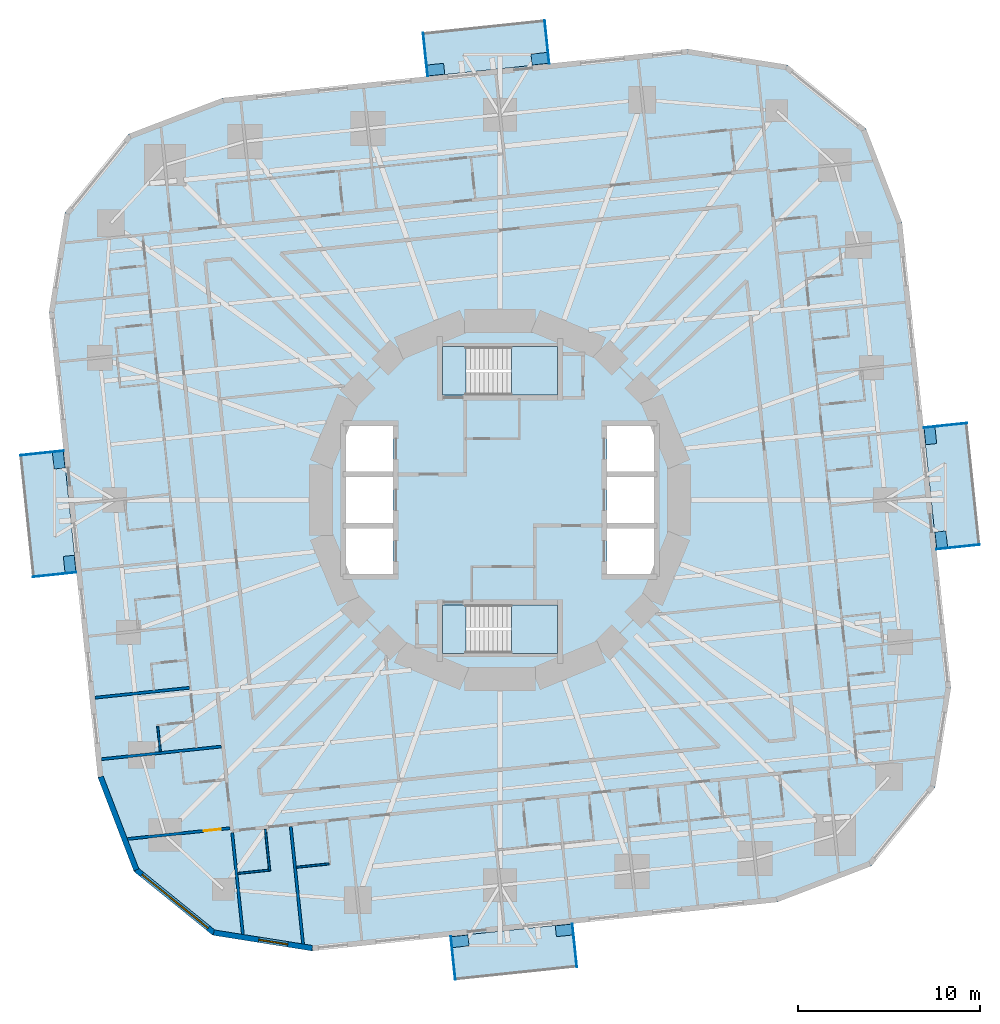
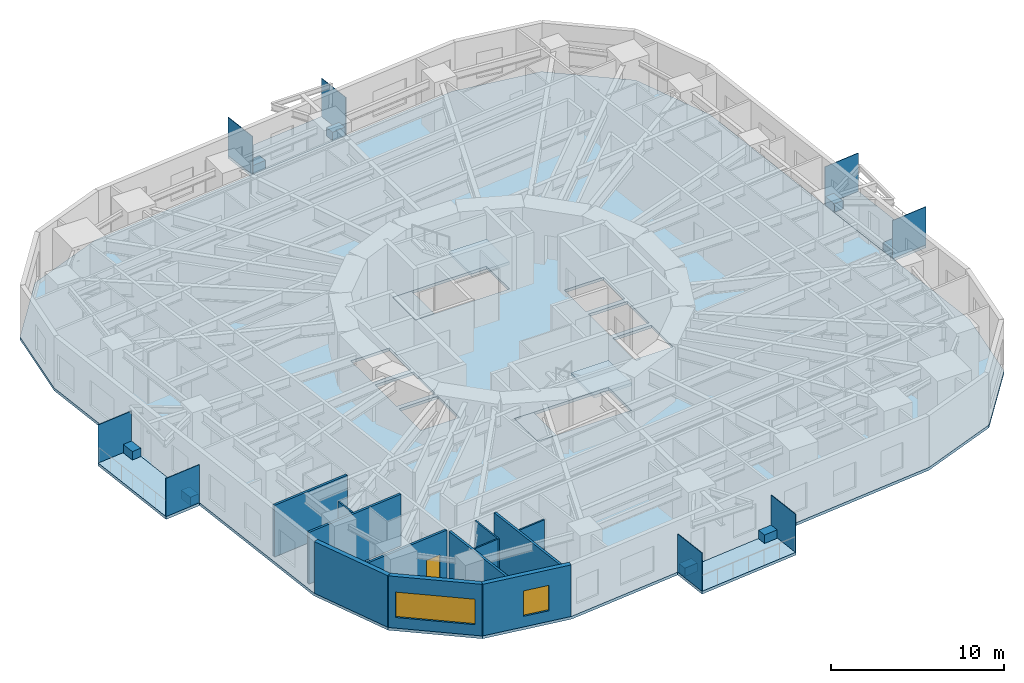
# One storey, part 4 of 14: 16 plates, 12 walls, 9 slabs, 2 windows, 1 door, 3 openings, 2 elements without a shape of their own.
"""IFC4 building model written with IfcOpenShell, lengths in metres."""

import ifcopenshell
import ifcopenshell.guid

model = None  # the IFC model being written
_history = None  # IfcOwnerHistory: only IFC2X3 demands one
_inside = {}  # id of a spatial element -> (the spatial element, [elements in it])
_under = {}  # id of a project, library or spatial element -> (it, [spatial elements below it])
_declared = {}  # id of a project -> (the project, [libraries it declares])
_typed = {}  # id of a type object -> (the type object, [elements of that type])
_made_of = {}  # id of a material, layer set ... -> (it, [elements and type objects made of it])


def new_model(schema):
    """Start an empty IFC model of exactly this schema.

    Asked for "IFC4X3", IfcOpenShell would pick the latest addendum, in which some entities
    have other attributes; the version numbers below select the first issue.
    IFC2X3 requires an IfcOwnerHistory on every rooted entity: one is made here for all.
    """
    global model, _history
    if schema == "IFC4X3":
        model = ifcopenshell.file(schema_version=(4, 3, 0, 0))
    else:
        model = ifcopenshell.file(schema=schema)
    _inside.clear()
    _under.clear()
    _declared.clear()
    _typed.clear()
    _made_of.clear()
    _history = None
    if model.schema == "IFC2X3":
        org = make("IfcOrganization", Name="unknown")
        user = make(
            "IfcPersonAndOrganization",
            ThePerson=make("IfcPerson", FamilyName="unknown"),
            TheOrganization=org,
        )
        app = make(
            "IfcApplication",
            ApplicationDeveloper=org,
            Version="unknown",
            ApplicationFullName="unknown",
            ApplicationIdentifier="unknown",
        )
        _history = make(
            "IfcOwnerHistory",
            OwningUser=user,
            OwningApplication=app,
            ChangeAction="ADDED",
            CreationDate=0,
        )
    return model


def make(cls, **values):
    """One entity of the class cls with the attributes given. An attribute that is None is left unset."""
    return model.create_entity(
        cls, **{name: value for name, value in values.items() if value is not None}
    )


def rooted(cls, **values):
    """An entity with a GlobalId (a new one), such as an element, a storey or a relation."""
    return make(cls, GlobalId=ifcopenshell.guid.new(), OwnerHistory=_history, **values)


def si_unit(unit_type, name, prefix=None):
    """IfcSIUnit, for example si_unit("LENGTHUNIT", "METRE", prefix="MILLI")."""
    return make("IfcSIUnit", UnitType=unit_type, Prefix=prefix, Name=name)


def assignment(units):
    """IfcUnitAssignment: the units of a project."""
    return None if units is None else make("IfcUnitAssignment", Units=units)


def point(xyz):
    """IfcCartesianPoint."""
    return None if xyz is None else make("IfcCartesianPoint", Coordinates=xyz)


def direction(xyz):
    """IfcDirection."""
    return None if xyz is None else make("IfcDirection", DirectionRatios=xyz)


def frame(location, z_axis=None, x_axis=None):
    """IfcAxis2Placement3D, a coordinate frame: its origin and axes. An axis left out is left unset."""
    return make(
        "IfcAxis2Placement3D",
        Location=point(location),
        Axis=direction(z_axis),
        RefDirection=direction(x_axis),
    )


def frame_2d(location, x_axis=None):
    """IfcAxis2Placement2D, a coordinate frame in the plane: its origin and x axis."""
    return make(
        "IfcAxis2Placement2D", Location=point(location), RefDirection=direction(x_axis)
    )


def origin():
    """The frame at (0, 0, 0) with its axes left unset."""
    return frame((0.0, 0.0, 0.0))


def origin_2d():
    """The frame at (0, 0) in the plane with its x axis left unset."""
    return frame_2d((0.0, 0.0))


def place(relative_to, where):
    """IfcLocalPlacement: puts the frame where relative to a parent placement (None: the world)."""
    return make(
        "IfcLocalPlacement", PlacementRelTo=relative_to, RelativePlacement=where
    )


def context(
    kind, dimensions, precision=None, world=None, true_north=None, identifier=None
):
    """IfcGeometricRepresentationContext, for example the 3D "Model" context."""
    return make(
        "IfcGeometricRepresentationContext",
        ContextIdentifier=identifier,
        ContextType=kind,
        CoordinateSpaceDimension=dimensions,
        Precision=precision,
        WorldCoordinateSystem=world,
        TrueNorth=true_north,
    )


def subcontext(parent, identifier, kind, view, scale=None):
    """IfcGeometricRepresentationSubContext, for example "Body" below "Model"."""
    return make(
        "IfcGeometricRepresentationSubContext",
        ContextIdentifier=identifier,
        ContextType=kind,
        ParentContext=parent,
        TargetScale=scale,
        TargetView=view,
    )


def project(units=None, contexts=None):
    """IfcProject with its units and contexts."""
    return rooted(
        "IfcProject",
        Name="project",
        RepresentationContexts=contexts,
        UnitsInContext=assignment(units),
    )


def spatial(cls, under=None, at=None, **own):
    """A site, building, storey or space (cls), placed at a placement, below another one or the project."""
    s = rooted(cls, ObjectPlacement=at, **own)
    if under is not None:
        _under.setdefault(under.id(), (under, []))[1].append(s)
    return s


def polyline(points):
    """IfcPolyline through the points."""
    return make("IfcPolyline", Points=[point(p) for p in points])


def profile(cls, at=None, kind="AREA", **sizes):
    """A parametric profile (cls). Its sizes go by their IFC names, for example OverallWidth=200.0."""
    return make(cls, ProfileType=kind, Position=at, **sizes)


def rectangle(**sizes):
    """IfcRectangleProfileDef."""
    return profile("IfcRectangleProfileDef", **sizes)


def outline(outer, holes=None, kind="AREA"):
    """IfcArbitraryClosedProfileDef: a profile drawn as a closed curve; with holes, ...WithVoids."""
    if holes is None:
        return make("IfcArbitraryClosedProfileDef", ProfileType=kind, OuterCurve=outer)
    return make(
        "IfcArbitraryProfileDefWithVoids",
        ProfileType=kind,
        OuterCurve=outer,
        InnerCurves=holes,
    )


def extrude(swept, where, along, depth):
    """IfcExtrudedAreaSolid: the profile swept, set in the frame where, extruded along a direction by depth."""
    return make(
        "IfcExtrudedAreaSolid",
        SweptArea=swept,
        Position=where,
        ExtrudedDirection=direction(along),
        Depth=depth,
    )


def shape(context_of_items, identifier, shape_type, items):
    """IfcShapeRepresentation: the items that make up one representation, for example the "Body"."""
    return make(
        "IfcShapeRepresentation",
        ContextOfItems=context_of_items,
        RepresentationIdentifier=identifier,
        RepresentationType=shape_type,
        Items=items,
    )


def material(Name=None, Category=None):
    """IfcMaterial."""
    return make("IfcMaterial", Name=Name, Category=Category)


def layer(
    of_material, thickness, ventilated=None, Name=None, Category=None, Priority=None
):
    """IfcMaterialLayer: one layer of a wall or slab, of a material (None: an air gap)."""
    return make(
        "IfcMaterialLayer",
        Material=of_material,
        LayerThickness=thickness,
        IsVentilated=ventilated,
        Name=Name,
        Category=Category,
        Priority=Priority,
    )


def layer_set(layers, Name=None):
    """IfcMaterialLayerSet."""
    return make("IfcMaterialLayerSet", MaterialLayers=layers, LayerSetName=Name)


def made_of(thing, what):
    """Note that an element or type object is made of a material, layer set ...; save() writes the relation."""
    if what is not None:
        _made_of.setdefault(what.id(), (what, []))[1].append(thing)
    return thing


def type_object(cls, material=None, **own):
    """A type object (cls), such as IfcWallType, which elements share."""
    return made_of(rooted(cls, **own), material)


def element(
    cls,
    number,
    at=None,
    inside=None,
    cuts=None,
    type_object=None,
    material=None,
    context=None,
    identifier="Body",
    shape_type=None,
    held_by="IfcProductDefinitionShape",
    body=None,
    shapes=None,
    **own,
):
    """One element of the class cls, such as IfcWall. Its Tag is "e" and its number.

    at: its placement. inside: the storey or other place that contains it. cuts: it is an
    opening in that element (IfcRelVoidsElement). A single representation is given by context,
    identifier, shape_type and body (its items); several are given by shapes. held_by: the class
    of the entity that holds the representations. save() writes the other relations.
    """
    e = rooted(cls, Tag="e%d" % number, ObjectPlacement=at, **own)
    if body is not None:
        shapes = [shape(context, identifier, shape_type, body)]
    if shapes is not None:
        e.Representation = make(held_by, Representations=shapes)
    if inside is not None:
        _inside.setdefault(inside.id(), (inside, []))[1].append(e)
    if cuts is not None:
        rooted(
            "IfcRelVoidsElement", RelatingBuildingElement=cuts, RelatedOpeningElement=e
        )
    if type_object is not None:
        _typed.setdefault(type_object.id(), (type_object, []))[1].append(e)
    return made_of(e, material)


def fill(opening, filler):
    """IfcRelFillsElement: the door or window that sits in an opening."""
    return rooted(
        "IfcRelFillsElement",
        RelatingOpeningElement=opening,
        RelatedBuildingElement=filler,
    )


def aggregate(whole, parts):
    """IfcRelAggregates: a whole, such as a stair, and the parts it consists of."""
    return rooted("IfcRelAggregates", RelatingObject=whole, RelatedObjects=parts)


def save(model, path):
    """Write the relations noted so far, then the file.

    IfcRelAggregates (storeys below a building ...), IfcRelContainedInSpatialStructure (elements
    in a storey), IfcRelDefinesByType, IfcRelAssociatesMaterial and IfcRelDeclares: one each for
    every whole, place, type object, material and project.
    """
    for whole, parts in _under.values():
        aggregate(whole, parts)
    for where, things in _inside.values():
        rooted(
            "IfcRelContainedInSpatialStructure",
            RelatedElements=things,
            RelatingStructure=where,
        )
    for kind, things in _typed.values():
        rooted("IfcRelDefinesByType", RelatedObjects=things, RelatingType=kind)
    for what, things in _made_of.values():
        rooted("IfcRelAssociatesMaterial", RelatedObjects=things, RelatingMaterial=what)
    for by, libraries in _declared.values():
        rooted("IfcRelDeclares", RelatingContext=by, RelatedDefinitions=libraries)
    model.write(path)


model = new_model("IFC4")

# Units and contexts
model_context = context("Model", 3, precision=1e-05, world=origin(), true_north=direction((0.0, 1.0)))
body_context = subcontext(model_context, "Body", "Model", "MODEL_VIEW")
ifc_project = project(units=[si_unit("LENGTHUNIT", "METRE"), si_unit("AREAUNIT", "SQUARE_METRE"), si_unit("VOLUMEUNIT", "CUBIC_METRE"), si_unit("PLANEANGLEUNIT", "RADIAN"), si_unit("MASSUNIT", "GRAM", prefix="KILO")], contexts=[model_context])

# Site, building, storey
site_placement = place(None, origin())
site = spatial("IfcSite", under=ifc_project, at=site_placement, CompositionType="ELEMENT")
building_placement = place(site_placement, origin())
building = spatial("IfcBuilding", under=site, at=building_placement, Name="Nakasero Lantern House", CompositionType="ELEMENT")
storey_placement = place(building_placement, frame((0.0, 0.0, 87.449951171875)))
storey = spatial("IfcBuildingStorey", under=building, at=storey_placement, Name="L21", CompositionType="ELEMENT", Elevation=87.449951171875)

# Plates
ifc_material_1 = material(Name="Aluminium 6063-T6", Category="aluminium")
ifc_layer_1 = layer(ifc_material_1, 0.60009765625)
ifc_layer_set_1 = layer_set([ifc_layer_1], Name="Balcony planter 600x900")
plate_type_1 = type_object("IfcPlateType", Name="Balcony planter 600x900", PredefinedType="USERDEFINED", material=ifc_layer_set_1)
for number, where, z_axis, x_axis, name in (
    (1, (24.1796875, -2.174560546875, 0.0), (0.0, 0.0, 1.0), (0.994521895368, 0.104528463268, 0.0), "Balcony PLANTER L21 BAL0A"),
    (2, (23.58251953125, 3.507568359375, 0.0), (0.0, 0.0, 1.0), (0.994521895368, 0.104528463268, 0.0), "Balcony PLANTER L21 BAL0B"),
    (3, (2.174560546875, 24.1796875, 0.0), (0.0, 0.0, 1.0), (-0.104528463268, 0.994521895368, 0.0), "Balcony PLANTER L21 BAL1A"),
    (4, (-3.507568359375, 23.58251953125, 0.0), (0.0, 0.0, 1.0), (-0.104528463268, 0.994521895368, 0.0), "Balcony PLANTER L21 BAL1B"),
    (5, (-24.1796875, 2.174560546875, 0.0), (0.0, 0.0, 1.0), (-0.994521895368, -0.104528463268, 0.0), "Balcony PLANTER L21 BAL2A"),
    (6, (-23.58251953125, -3.507568359375, 0.0), (0.0, 0.0, 1.0), (-0.994521895368, -0.104528463268, 0.0), "Balcony PLANTER L21 BAL2B"),
    (7, (-2.174560546875, -24.1796875, 0.0), (0.0, 0.0, 1.0), (0.104528463268, -0.994521895368, 0.0), "Balcony PLANTER L21 BAL3A"),
    (8, (3.507568359375, -23.58251953125, 0.0), (0.0, 0.0, 1.0), (0.104528463268, -0.994521895368, 0.0), "Balcony PLANTER L21 BAL3B"),
):
    element("IfcPlate", number, at=place(storey_placement, frame(where, z_axis=z_axis, x_axis=x_axis)), inside=storey, type_object=plate_type_1, Name=name, ObjectType="PLANTER", PredefinedType="USERDEFINED", context=body_context, shape_type="SweptSolid", body=[
        extrude(rectangle(XDim=0.60009765625, YDim=0.89990234375, at=origin_2d()), origin(), (0.0, 0.0, 1.0), 0.60009765625),
    ])
ifc_material_2 = material(Name="Aluminium 6063-T6", Category="aluminium")
ifc_layer_2 = layer(ifc_material_2, 0.0400390625)
ifc_layer_set_2 = layer_set([ifc_layer_2], Name="Balcony screen 2400x2700")
plate_type_2 = type_object("IfcPlateType", Name="Balcony screen 2400x2700", PredefinedType="SHEET", material=ifc_layer_set_2)
for number, where, z_axis, x_axis, name in (
    (9, (25.106201171875, -2.56982421875, 0.0), (0.0, 0.0, 1.0), (0.994521895368, 0.104528463268, 0.0), "Balcony SCREEN L21 BAL0A"),
    (10, (24.406494140625, 4.0869140625, 0.0), (0.0, 0.0, 1.0), (0.994521895368, 0.104528463268, 0.0), "Balcony SCREEN L21 BAL0B"),
    (11, (2.56982421875, 25.106201171875, 0.0), (0.0, 0.0, 1.0), (-0.104528463268, 0.994521895368, 0.0), "Balcony SCREEN L21 BAL1A"),
    (12, (-4.0869140625, 24.406494140625, 0.0), (0.0, 0.0, 1.0), (-0.104528463268, 0.994521895368, 0.0), "Balcony SCREEN L21 BAL1B"),
    (13, (-25.106201171875, 2.56982421875, 0.0), (0.0, 0.0, 1.0), (-0.994521895368, -0.104528463268, 0.0), "Balcony SCREEN L21 BAL2A"),
    (14, (-24.406494140625, -4.0869140625, 0.0), (0.0, 0.0, 1.0), (-0.994521895368, -0.104528463268, 0.0), "Balcony SCREEN L21 BAL2B"),
    (15, (-2.56982421875, -25.106201171875, 0.0), (0.0, 0.0, 1.0), (0.104528463268, -0.994521895368, 0.0), "Balcony SCREEN L21 BAL3A"),
    (16, (4.0869140625, -24.406494140625, 0.0), (0.0, 0.0, 1.0), (0.104528463268, -0.994521895368, 0.0), "Balcony SCREEN L21 BAL3B"),
):
    element("IfcPlate", number, at=place(storey_placement, frame(where, z_axis=z_axis, x_axis=x_axis)), inside=storey, type_object=plate_type_2, Name=name, PredefinedType="SHEET", context=body_context, shape_type="SweptSolid", body=[
        extrude(rectangle(XDim=2.39990234375, YDim=0.0400390625, at=origin_2d()), origin(), (0.0, 0.0, 1.0), 2.699951171875),
    ])

# Slabs
ifc_material_3 = material(Name="Concrete C35/45", Category="concrete")
ifc_layer_3 = layer(ifc_material_3, 0.199951171875)
ifc_layer_set_3 = layer_set([ifc_layer_3], Name="Balcony slab 200")
slab_type_1 = type_object("IfcSlabType", Name="Balcony slab 200", PredefinedType="USERDEFINED", material=ifc_layer_set_3)
slab_1_placement = place(storey_placement, frame((0.0, 0.0, -0.199951171875)))
element("IfcSlab", 17, at=slab_1_placement, inside=storey, type_object=slab_type_1, Name="Balcony L21 BAL0", ObjectType="BALCONY", PredefinedType="USERDEFINED", context=body_context, shape_type="SweptSolid", body=[
    extrude(outline(polyline([(23.914794921875, -2.715087890625), (26.3017578125, -2.464111328125), (25.597900390625, 4.232177734375), (23.2109375, 3.9814453125), (23.914794921875, -2.715087890625)])), origin(), (0.0, 0.0, 1.0), 0.199951171875),
])
slab_2_placement = place(storey_placement, frame((0.0, 0.0, -0.199951171875)))
element("IfcSlab", 18, at=slab_2_placement, inside=storey, type_object=slab_type_1, Name="Balcony L21 BAL1", ObjectType="BALCONY", PredefinedType="USERDEFINED", context=body_context, shape_type="SweptSolid", body=[
    extrude(outline(polyline([(2.715087890625, 23.914794921875), (2.464111328125, 26.3017578125), (-4.232177734375, 25.597900390625), (-3.9814453125, 23.2109375), (2.715087890625, 23.914794921875)])), origin(), (0.0, 0.0, 1.0), 0.199951171875),
])
slab_3_placement = place(storey_placement, frame((0.0, 0.0, -0.199951171875)))
element("IfcSlab", 19, at=slab_3_placement, inside=storey, type_object=slab_type_1, Name="Balcony L21 BAL2", ObjectType="BALCONY", PredefinedType="USERDEFINED", context=body_context, shape_type="SweptSolid", body=[
    extrude(outline(polyline([(-23.914794921875, 2.715087890625), (-26.3017578125, 2.464111328125), (-25.597900390625, -4.232177734375), (-23.2109375, -3.9814453125), (-23.914794921875, 2.715087890625)])), origin(), (0.0, 0.0, 1.0), 0.199951171875),
])
slab_4_placement = place(storey_placement, frame((0.0, 0.0, -0.199951171875)))
element("IfcSlab", 20, at=slab_4_placement, inside=storey, type_object=slab_type_1, Name="Balcony L21 BAL3", ObjectType="BALCONY", PredefinedType="USERDEFINED", context=body_context, shape_type="SweptSolid", body=[
    extrude(outline(polyline([(-2.715087890625, -23.914794921875), (-2.464111328125, -26.3017578125), (4.232177734375, -25.597900390625), (3.9814453125, -23.2109375), (-2.715087890625, -23.914794921875)])), origin(), (0.0, 0.0, 1.0), 0.199951171875),
])
ifc_material_4 = material(Name="Concrete C35/45", Category="concrete")
ifc_layer_4 = layer(ifc_material_4, 0.199951171875)
ifc_layer_set_4 = layer_set([ifc_layer_4], Name="Composite floor slab 200")
slab_type_2 = type_object("IfcSlabType", Name="Composite floor slab 200", PredefinedType="FLOOR", material=ifc_layer_set_4)
slab_5_placement = place(storey_placement, frame((0.0, 0.0, -0.199951171875)))
element("IfcSlab", 21, at=slab_5_placement, inside=storey, type_object=slab_type_2, Name="Floor slab L21", PredefinedType="FLOOR", context=body_context, shape_type="SweptSolid", body=[
    extrude(outline(polyline([(22.033203125, 15.186279296875), (20.04833984375, 20.357177734375), (15.743896484375, 23.8427734375), (10.2734375, 24.709228515625), (-15.186279296875, 22.033203125), (-20.357177734375, 20.04833984375), (-23.8427734375, 15.743896484375), (-24.709228515625, 10.2734375), (-22.033203125, -15.186279296875), (-20.04833984375, -20.357177734375), (-15.743896484375, -23.8427734375), (-10.2734375, -24.709228515625), (15.186279296875, -22.033203125), (20.357177734375, -20.04833984375), (23.8427734375, -15.743896484375), (24.709228515625, -10.2734375), (22.033203125, 15.186279296875)]), holes=[polyline([(-8.449951171875, -4.050048828125), (-5.85009765625, -4.050048828125), (-5.85009765625, -1.550048828125), (-8.449951171875, -1.550048828125), (-8.449951171875, -4.050048828125)]), polyline([(-8.449951171875, -1.25), (-5.85009765625, -1.25), (-5.85009765625, 1.25), (-8.449951171875, 1.25), (-8.449951171875, -1.25)]), polyline([(-8.449951171875, 1.550048828125), (-5.85009765625, 1.550048828125), (-5.85009765625, 4.050048828125), (-8.449951171875, 4.050048828125), (-8.449951171875, 1.550048828125)]), polyline([(5.85009765625, -4.050048828125), (8.449951171875, -4.050048828125), (8.449951171875, -1.550048828125), (5.85009765625, -1.550048828125), (5.85009765625, -4.050048828125)]), polyline([(5.85009765625, -1.25), (8.449951171875, -1.25), (8.449951171875, 1.25), (5.85009765625, 1.25), (5.85009765625, -1.25)]), polyline([(5.85009765625, 1.550048828125), (8.449951171875, 1.550048828125), (8.449951171875, 4.050048828125), (5.85009765625, 4.050048828125), (5.85009765625, 1.550048828125)]), polyline([(-3.14990234375, 5.75), (3.14990234375, 5.75), (3.14990234375, 8.39990234375), (-3.14990234375, 8.39990234375), (-3.14990234375, 5.75)]), polyline([(-3.14990234375, -8.39990234375), (3.14990234375, -8.39990234375), (3.14990234375, -5.75), (-3.14990234375, -5.75), (-3.14990234375, -8.39990234375)])]), origin(), (0.0, 0.0, 1.0), 0.199951171875),
])

# Stair, slabs
ifc_material_5 = material(Name="Concrete C40/50", Category="concrete")
stair_type_1 = type_object("IfcStairType", Name="Escape stair ST1 22 risers", PredefinedType="HALF_TURN_STAIR", material=ifc_material_5)
stair_1_placement = place(storey_placement, origin())
stair_1 = element("IfcStair", 22, at=stair_1_placement, inside=storey, type_object=stair_type_1, Name="Escape stair ST1 L21", PredefinedType="HALF_TURN_STAIR")
ifc_material_6 = material(Name="Concrete C40/50", Category="concrete")
ifc_layer_5 = layer(ifc_material_6, 0.199951171875)
ifc_layer_set_5 = layer_set([ifc_layer_5], Name="Stair landing 200")
slab_type_3 = type_object("IfcSlabType", Name="Stair landing 200", PredefinedType="LANDING", material=ifc_layer_set_5)
slab_6_placement = place(storey_placement, frame((0.0, 0.0, -0.199951171875)))
slab_6 = element("IfcSlab", 23, at=slab_6_placement, type_object=slab_type_3, Name="ST1 landing 1", PredefinedType="LANDING", context=body_context, shape_type="SweptSolid", body=[
    extrude(outline(polyline([(-3.14990234375, 5.75), (-1.875, 5.75), (-1.875, 8.39990234375), (-3.14990234375, 8.39990234375), (-3.14990234375, 5.75)])), origin(), (0.0, 0.0, 1.0), 0.199951171875),
])
slab_7_placement = place(storey_placement, frame((0.0, 0.0, 1.72509765625)))
slab_7 = element("IfcSlab", 24, at=slab_7_placement, type_object=slab_type_3, Name="ST1 landing 2", PredefinedType="LANDING", context=body_context, shape_type="SweptSolid", body=[
    extrude(outline(polyline([(0.625, 5.75), (3.14990234375, 5.75), (3.14990234375, 8.39990234375), (0.625, 8.39990234375), (0.625, 5.75)])), origin(), (0.0, 0.0, 1.0), 0.199951171875),
])
aggregate(stair_1, [slab_6, slab_7])

ifc_material_7 = material(Name="Concrete C40/50", Category="concrete")
stair_type_2 = type_object("IfcStairType", Name="Escape stair ST2 22 risers", PredefinedType="HALF_TURN_STAIR", material=ifc_material_7)
stair_2_placement = place(storey_placement, origin())
stair_2 = element("IfcStair", 25, at=stair_2_placement, inside=storey, type_object=stair_type_2, Name="Escape stair ST2 L21", PredefinedType="HALF_TURN_STAIR")
slab_8_placement = place(storey_placement, frame((0.0, 0.0, -0.199951171875)))
slab_8 = element("IfcSlab", 26, at=slab_8_placement, type_object=slab_type_3, Name="ST2 landing 1", PredefinedType="LANDING", context=body_context, shape_type="SweptSolid", body=[
    extrude(outline(polyline([(-3.14990234375, -8.39990234375), (-1.875, -8.39990234375), (-1.875, -5.75), (-3.14990234375, -5.75), (-3.14990234375, -8.39990234375)])), origin(), (0.0, 0.0, 1.0), 0.199951171875),
])
slab_9_placement = place(storey_placement, frame((0.0, 0.0, 1.72509765625)))
slab_9 = element("IfcSlab", 27, at=slab_9_placement, type_object=slab_type_3, Name="ST2 landing 2", PredefinedType="LANDING", context=body_context, shape_type="SweptSolid", body=[
    extrude(outline(polyline([(0.625, -8.39990234375), (3.14990234375, -8.39990234375), (3.14990234375, -5.75), (0.625, -5.75), (0.625, -8.39990234375)])), origin(), (0.0, 0.0, 1.0), 0.199951171875),
])
aggregate(stair_2, [slab_8, slab_9])

# Walls
ifc_material_8 = material(Name="Blockwork", Category="masonry")
ifc_layer_6 = layer(ifc_material_8, 0.10009765625)
ifc_layer_set_6 = layer_set([ifc_layer_6], Name="En-suite wall 100")
wall_type_1 = type_object("IfcWallType", Name="En-suite wall 100", PredefinedType="PARTITIONING", material=ifc_layer_set_6)
wall_1_placement = place(storey_placement, frame((-18.757080078125, -12.394775390625, 0.0), z_axis=(0.0, 0.0, 1.0), x_axis=(0.104457839748, -0.994529315664, 0.0)))
element("IfcWall", 28, at=wall_1_placement, inside=storey, type_object=wall_type_1, Name="En-suite wall L21 EE2-07", PredefinedType="PARTITIONING", context=body_context, shape_type="SweptSolid", body=[
    extrude(rectangle(XDim=1.39990234375, YDim=0.10009765625, at=frame_2d((0.699951171875, 0.0))), origin(), (0.0, 0.0, 1.0), 3.650146484375),
])
wall_2_placement = place(storey_placement, frame((-12.859375, -18.04296875, 0.0), z_axis=(0.0, 0.0, 1.0), x_axis=(0.104452703326, -0.994529855142, 0.0)))
element("IfcWall", 29, at=wall_2_placement, inside=storey, type_object=wall_type_1, Name="En-suite wall L21 ES3-00", PredefinedType="PARTITIONING", context=body_context, shape_type="SweptSolid", body=[
    extrude(rectangle(XDim=2.300048828125, YDim=0.10009765625, at=frame_2d((1.14990234375, 0.0))), origin(), (0.0, 0.0, 1.0), 3.650146484375),
])
wall_3_placement = place(storey_placement, frame((-14.36474609375, -20.463623046875, 0.0), z_axis=(0.0, 0.0, 1.0), x_axis=(0.994519608382, 0.104550220202, 0.0)))
element("IfcWall", 30, at=wall_3_placement, inside=storey, type_object=wall_type_1, Name="En-suite wall L21 EE3-00", PredefinedType="PARTITIONING", context=body_context, shape_type="SweptSolid", body=[
    extrude(rectangle(XDim=1.699951171875, YDim=0.10009765625, at=frame_2d((0.85009765625, 0.0))), origin(), (0.0, 0.0, 1.0), 3.650146484375),
])
wall_4_placement = place(storey_placement, frame((-11.156982421875, -20.12646484375, 0.0), z_axis=(0.0, 0.0, 1.0), x_axis=(0.994516595821, 0.104578872801, 0.0)))
element("IfcWall", 31, at=wall_4_placement, inside=storey, type_object=wall_type_1, Name="En-suite wall L21 EE3-01", PredefinedType="PARTITIONING", context=body_context, shape_type="SweptSolid", body=[
    extrude(rectangle(XDim=1.7998046875, YDim=0.10009765625, at=frame_2d((0.89990234375, 0.0))), origin(), (0.0, 0.0, 1.0), 3.650146484375),
])
ifc_material_9 = material(Name="Aluminium rainscreen on blockwork", Category="masonry")
ifc_layer_7 = layer(ifc_material_9, 0.300048828125)
ifc_layer_set_7 = layer_set([ifc_layer_7], Name="Facade wall 300")
wall_type_2 = type_object("IfcWallType", Name="Facade wall 300", PredefinedType="SOLIDWALL", material=ifc_layer_set_7)
wall_5_placement = place(storey_placement, frame((-21.884033203125, -15.170654296875, 0.0), z_axis=(0.0, 0.0, 1.0), x_axis=(0.358358884793, -0.933583906079, 0.0)))
element("IfcWall", 32, at=wall_5_placement, inside=storey, type_object=wall_type_2, Name="Facade wall L21 FW2C1", PredefinedType="SOLIDWALL", context=body_context, shape_type="SweptSolid", body=[
    extrude(rectangle(XDim=5.461181640625, YDim=0.300048828125, at=frame_2d((2.73046875, 0.0))), origin(), (0.0, 0.0, 1.0), 3.650146484375),
])

# Wall, opening, window
wall_6_placement = place(storey_placement, frame((-19.927001953125, -20.26904296875, 0.0), z_axis=(0.0, 0.0, 1.0), x_axis=(0.777134500863, -0.629334543442, 0.0)))
wall_6 = element("IfcWall", 33, at=wall_6_placement, inside=storey, type_object=wall_type_2, Name="Facade wall L21 FW2C2", PredefinedType="SOLIDWALL", context=body_context, shape_type="SweptSolid", body=[
    extrude(rectangle(XDim=5.4609375, YDim=0.300048828125, at=frame_2d((2.73046875, 0.0))), origin(), (0.0, 0.0, 1.0), 3.650146484375),
])
opening_1_placement = place(wall_6_placement, frame((0.39990234375, 0.0, 0.75)))
opening_1 = element("IfcOpeningElement", 34, at=opening_1_placement, cuts=wall_6, Name="Opening W246", PredefinedType="OPENING", context=body_context, shape_type="SweptSolid", body=[
    extrude(rectangle(XDim=4.660888671875, YDim=1.800048828125, at=frame_2d((2.33056640625, 0.89990234375))), frame((0.0, 0.169921875, 0.0), z_axis=(0.0, -1.0, 0.0), x_axis=(1.0, 0.0, 0.0)), (0.0, 0.0, 1.0), 0.340087890625),
])
ifc_material_10 = material(Name="Aluminium 6063-T6 and glass", Category="aluminium")
window_type_1 = type_object("IfcWindowType", Name="Corner window 4661x1800", PartitioningType="SINGLE_PANEL", PredefinedType="WINDOW", material=ifc_material_10)
window_1_placement = place(opening_1_placement, origin())
window_1 = element("IfcWindow", 35, at=window_1_placement, inside=storey, type_object=window_type_1, Name="Window L21 WC2", OverallHeight=1.800048828125, OverallWidth=4.660888671875, PartitioningType="SINGLE_PANEL", PredefinedType="WINDOW", context=body_context, shape_type="SweptSolid", body=[
    extrude(rectangle(XDim=4.660888671875, YDim=1.800048828125, at=frame_2d((2.33056640625, 0.89990234375))), frame((0.0, 0.030029296875, 0.0), z_axis=(0.0, -1.0, 0.0), x_axis=(1.0, 0.0, 0.0)), (0.0, 0.0, 1.0), 0.06005859375),
])
fill(opening_1, window_1)

wall_7_placement = place(storey_placement, frame((-15.68310546875, -23.705810546875, 0.0), z_axis=(0.0, 0.0, 1.0), x_axis=(0.987690729142, -0.156419383601, 0.0)))
wall_7 = element("IfcWall", 36, at=wall_7_placement, inside=storey, type_object=wall_type_2, Name="Facade wall L21 FW2C3", PredefinedType="SOLIDWALL", context=body_context, shape_type="SweptSolid", body=[
    extrude(rectangle(XDim=5.461181640625, YDim=0.300048828125, at=frame_2d((2.73046875, 0.0))), origin(), (0.0, 0.0, 1.0), 3.650146484375),
])
opening_2_placement = place(wall_7_placement, frame((2.5, 0.0, 0.75)))
opening_2 = element("IfcOpeningElement", 37, at=opening_2_placement, cuts=wall_7, Name="Opening W01", PredefinedType="OPENING", context=body_context, shape_type="SweptSolid", body=[
    extrude(rectangle(XDim=1.60009765625, YDim=1.800048828125, at=frame_2d((0.800048828125, 0.89990234375))), frame((0.0, 0.169921875, 0.0), z_axis=(0.0, -1.0, 0.0), x_axis=(1.0, 0.0, 0.0)), (0.0, 0.0, 1.0), 0.340087890625),
])
ifc_material_11 = material(Name="Aluminium 6063-T6 and glass", Category="aluminium")
window_type_2 = type_object("IfcWindowType", Name="Bedroom window 1600x1800", PartitioningType="SINGLE_PANEL", PredefinedType="WINDOW", material=ifc_material_11)
window_2_placement = place(opening_2_placement, origin())
window_2 = element("IfcWindow", 38, at=window_2_placement, inside=storey, type_object=window_type_2, Name="Window L21 WN3-00", OverallHeight=1.800048828125, OverallWidth=1.60009765625, PartitioningType="SINGLE_PANEL", PredefinedType="WINDOW", context=body_context, shape_type="SweptSolid", body=[
    extrude(rectangle(XDim=1.60009765625, YDim=1.800048828125, at=frame_2d((0.800048828125, 0.89990234375))), frame((0.0, 0.030029296875, 0.0), z_axis=(0.0, -1.0, 0.0), x_axis=(1.0, 0.0, 0.0)), (0.0, 0.0, 1.0), 0.06005859375),
])
fill(opening_2, window_2)

# Walls
ifc_material_12 = material(Name="Blockwork", Category="masonry")
ifc_layer_8 = layer(ifc_material_12, 0.14990234375)
ifc_layer_set_8 = layer_set([ifc_layer_8], Name="Party wall 150")
wall_type_3 = type_object("IfcWallType", Name="Party wall 150", PredefinedType="PARTITIONING", material=ifc_layer_set_8)
wall_8_placement = place(storey_placement, frame((-17.017578125, -10.290771484375, 0.0), z_axis=(0.0, 0.0, 1.0), x_axis=(-0.994523446942, -0.104513699976, 0.0)))
element("IfcWall", 39, at=wall_8_placement, inside=storey, type_object=wall_type_3, Name="Party wall L21 PW2-07", PredefinedType="PARTITIONING", context=body_context, shape_type="SweptSolid", body=[
    extrude(rectangle(XDim=5.199951171875, YDim=0.14990234375, at=frame_2d((2.60009765625, 0.0))), origin(), (0.0, 0.0, 1.0), 3.650146484375),
])
wall_9_placement = place(storey_placement, frame((-15.271240234375, -13.511474609375, 0.0), z_axis=(0.0, 0.0, 1.0), x_axis=(-0.994521251134, -0.104534592565, 0.0)))
element("IfcWall", 40, at=wall_9_placement, inside=storey, type_object=wall_type_3, Name="Party wall L21 PW2-08", PredefinedType="PARTITIONING", context=body_context, shape_type="SweptSolid", body=[
    extrude(rectangle(XDim=6.60009765625, YDim=0.14990234375, at=frame_2d((3.300048828125, 0.0))), origin(), (0.0, 0.0, 1.0), 3.650146484375),
])

# Wall, opening, door
wall_10_placement = place(storey_placement, frame((-14.801025390625, -17.9853515625, 0.0), z_axis=(0.0, 0.0, 1.0), x_axis=(-0.994522751177, -0.104520320471, 0.0)))
wall_10 = element("IfcWall", 41, at=wall_10_placement, inside=storey, type_object=wall_type_3, Name="Party wall L21 PC2", PredefinedType="PARTITIONING", context=body_context, shape_type="SweptSolid", body=[
    extrude(rectangle(XDim=5.64111328125, YDim=0.14990234375, at=frame_2d((2.820556640625, 0.0))), origin(), (0.0, 0.0, 1.0), 3.650146484375),
])
opening_3_placement = place(wall_10_placement, frame((0.5, 0.0, 0.0)))
opening_3 = element("IfcOpeningElement", 42, at=opening_3_placement, cuts=wall_10, Name="Opening D01", PredefinedType="OPENING", context=body_context, shape_type="SweptSolid", body=[
    extrude(rectangle(XDim=0.949951171875, YDim=2.10009765625, at=frame_2d((0.47509765625, 1.050048828125))), frame((0.0, 0.094970703125, 0.0), z_axis=(0.0, -1.0, 0.0), x_axis=(1.0, 0.0, 0.0)), (0.0, 0.0, 1.0), 0.18994140625),
])
ifc_material_13 = material(Name="Timber C24", Category="wood")
door_type = type_object("IfcDoorType", Name="Bedroom door FD30S 950", OperationType="SINGLE_SWING_LEFT", PredefinedType="DOOR", material=ifc_material_13)
door_placement = place(opening_3_placement, origin())
door = element("IfcDoor", 43, at=door_placement, inside=storey, type_object=door_type, Name="Door L21 DC2", OperationType="SINGLE_SWING_LEFT", OverallHeight=2.10009765625, OverallWidth=0.949951171875, PredefinedType="DOOR", context=body_context, shape_type="SweptSolid", body=[
    extrude(rectangle(XDim=0.949951171875, YDim=2.10009765625, at=frame_2d((0.47509765625, 1.050048828125))), frame((0.0, 0.02490234375, 0.0), z_axis=(0.0, -1.0, 0.0), x_axis=(1.0, 0.0, 0.0)), (0.0, 0.0, 1.0), 0.050048828125),
])
fill(opening_3, door)

# Walls
wall_11_placement = place(storey_placement, frame((-14.674560546875, -18.23388671875, 0.0), z_axis=(0.0, 0.0, 1.0), x_axis=(0.104541754786, -0.994520498284, 0.0)))
element("IfcWall", 44, at=wall_11_placement, inside=storey, type_object=wall_type_3, Name="Party wall L21 PW3-00", PredefinedType="PARTITIONING", context=body_context, shape_type="SweptSolid", body=[
    extrude(rectangle(XDim=5.597900390625, YDim=0.14990234375, at=frame_2d((2.798828125, 0.0))), origin(), (0.0, 0.0, 1.0), 3.650146484375),
])
wall_12_placement = place(storey_placement, frame((-11.466796875, -17.896728515625, 0.0), z_axis=(0.0, 0.0, 1.0), x_axis=(0.10453728607, -0.994520968015, 0.0)))
element("IfcWall", 45, at=wall_12_placement, inside=storey, type_object=wall_type_3, Name="Party wall L21 PW3-01", PredefinedType="PARTITIONING", context=body_context, shape_type="SweptSolid", body=[
    extrude(rectangle(XDim=6.462158203125, YDim=0.14990234375, at=frame_2d((3.23095703125, 0.0))), origin(), (0.0, 0.0, 1.0), 3.650146484375),
])

save(model, "model.ifc")
